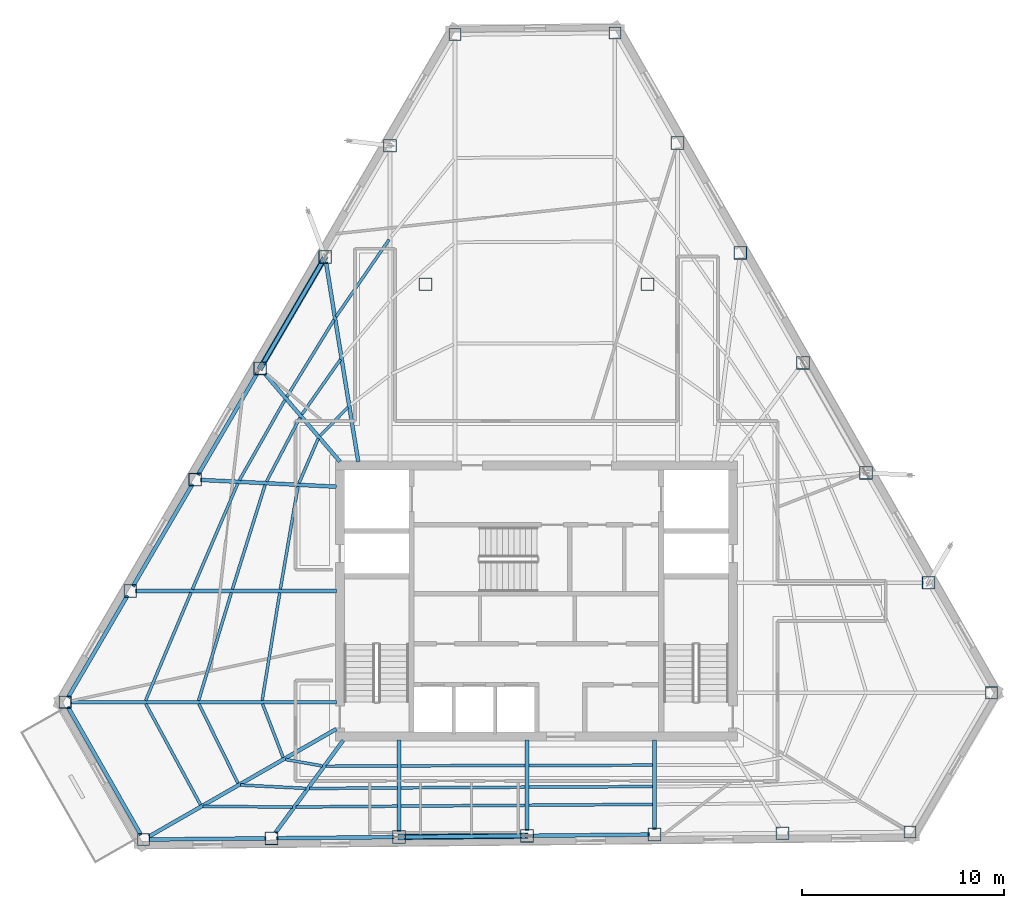
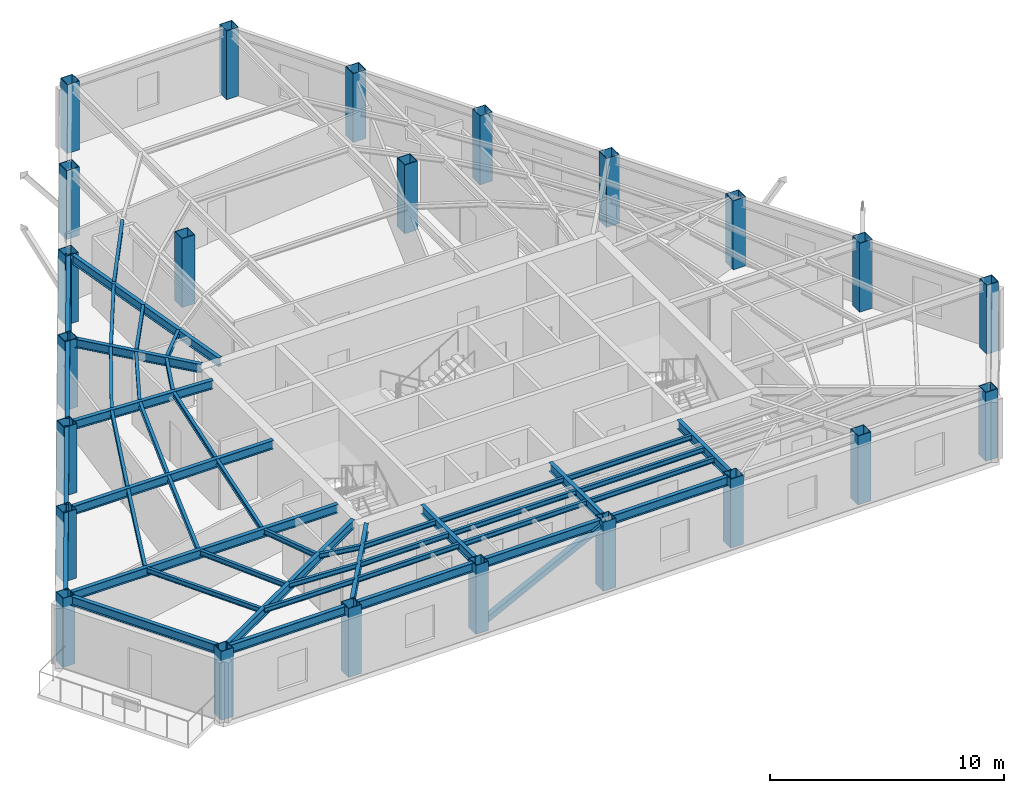
# One storey, part 1 of 11: 47 beams, 23 columns, 2 members.
"""IFC4 building model written with IfcOpenShell, lengths in metres."""

import ifcopenshell
import ifcopenshell.guid

model = None  # the IFC model being written
_history = None  # IfcOwnerHistory: only IFC2X3 demands one
_inside = {}  # id of a spatial element -> (the spatial element, [elements in it])
_under = {}  # id of a project, library or spatial element -> (it, [spatial elements below it])
_declared = {}  # id of a project -> (the project, [libraries it declares])
_typed = {}  # id of a type object -> (the type object, [elements of that type])
_made_of = {}  # id of a material, layer set ... -> (it, [elements and type objects made of it])


def new_model(schema):
    """Start an empty IFC model of exactly this schema.

    Asked for "IFC4X3", IfcOpenShell would pick the latest addendum, in which some entities
    have other attributes; the version numbers below select the first issue.
    IFC2X3 requires an IfcOwnerHistory on every rooted entity: one is made here for all.
    """
    global model, _history
    if schema == "IFC4X3":
        model = ifcopenshell.file(schema_version=(4, 3, 0, 0))
    else:
        model = ifcopenshell.file(schema=schema)
    _inside.clear()
    _under.clear()
    _declared.clear()
    _typed.clear()
    _made_of.clear()
    _history = None
    if model.schema == "IFC2X3":
        org = make("IfcOrganization", Name="unknown")
        user = make(
            "IfcPersonAndOrganization",
            ThePerson=make("IfcPerson", FamilyName="unknown"),
            TheOrganization=org,
        )
        app = make(
            "IfcApplication",
            ApplicationDeveloper=org,
            Version="unknown",
            ApplicationFullName="unknown",
            ApplicationIdentifier="unknown",
        )
        _history = make(
            "IfcOwnerHistory",
            OwningUser=user,
            OwningApplication=app,
            ChangeAction="ADDED",
            CreationDate=0,
        )
    return model


def make(cls, **values):
    """One entity of the class cls with the attributes given. An attribute that is None is left unset."""
    return model.create_entity(
        cls, **{name: value for name, value in values.items() if value is not None}
    )


def rooted(cls, **values):
    """An entity with a GlobalId (a new one), such as an element, a storey or a relation."""
    return make(cls, GlobalId=ifcopenshell.guid.new(), OwnerHistory=_history, **values)


def si_unit(unit_type, name, prefix=None):
    """IfcSIUnit, for example si_unit("LENGTHUNIT", "METRE", prefix="MILLI")."""
    return make("IfcSIUnit", UnitType=unit_type, Prefix=prefix, Name=name)


def assignment(units):
    """IfcUnitAssignment: the units of a project."""
    return None if units is None else make("IfcUnitAssignment", Units=units)


def point(xyz):
    """IfcCartesianPoint."""
    return None if xyz is None else make("IfcCartesianPoint", Coordinates=xyz)


def direction(xyz):
    """IfcDirection."""
    return None if xyz is None else make("IfcDirection", DirectionRatios=xyz)


def frame(location, z_axis=None, x_axis=None):
    """IfcAxis2Placement3D, a coordinate frame: its origin and axes. An axis left out is left unset."""
    return make(
        "IfcAxis2Placement3D",
        Location=point(location),
        Axis=direction(z_axis),
        RefDirection=direction(x_axis),
    )


def frame_2d(location, x_axis=None):
    """IfcAxis2Placement2D, a coordinate frame in the plane: its origin and x axis."""
    return make(
        "IfcAxis2Placement2D", Location=point(location), RefDirection=direction(x_axis)
    )


def origin():
    """The frame at (0, 0, 0) with its axes left unset."""
    return frame((0.0, 0.0, 0.0))


def origin_2d():
    """The frame at (0, 0) in the plane with its x axis left unset."""
    return frame_2d((0.0, 0.0))


def place(relative_to, where):
    """IfcLocalPlacement: puts the frame where relative to a parent placement (None: the world)."""
    return make(
        "IfcLocalPlacement", PlacementRelTo=relative_to, RelativePlacement=where
    )


def context(
    kind, dimensions, precision=None, world=None, true_north=None, identifier=None
):
    """IfcGeometricRepresentationContext, for example the 3D "Model" context."""
    return make(
        "IfcGeometricRepresentationContext",
        ContextIdentifier=identifier,
        ContextType=kind,
        CoordinateSpaceDimension=dimensions,
        Precision=precision,
        WorldCoordinateSystem=world,
        TrueNorth=true_north,
    )


def subcontext(parent, identifier, kind, view, scale=None):
    """IfcGeometricRepresentationSubContext, for example "Body" below "Model"."""
    return make(
        "IfcGeometricRepresentationSubContext",
        ContextIdentifier=identifier,
        ContextType=kind,
        ParentContext=parent,
        TargetScale=scale,
        TargetView=view,
    )


def project(units=None, contexts=None):
    """IfcProject with its units and contexts."""
    return rooted(
        "IfcProject",
        Name="project",
        RepresentationContexts=contexts,
        UnitsInContext=assignment(units),
    )


def spatial(cls, under=None, at=None, **own):
    """A site, building, storey or space (cls), placed at a placement, below another one or the project."""
    s = rooted(cls, ObjectPlacement=at, **own)
    if under is not None:
        _under.setdefault(under.id(), (under, []))[1].append(s)
    return s


def profile(cls, at=None, kind="AREA", **sizes):
    """A parametric profile (cls). Its sizes go by their IFC names, for example OverallWidth=200.0."""
    return make(cls, ProfileType=kind, Position=at, **sizes)


def hollow_rectangle(**sizes):
    """IfcRectangleHollowProfileDef."""
    return profile("IfcRectangleHollowProfileDef", **sizes)


def i_section(**sizes):
    """IfcIShapeProfileDef."""
    return profile("IfcIShapeProfileDef", **sizes)


def extrude(swept, where, along, depth):
    """IfcExtrudedAreaSolid: the profile swept, set in the frame where, extruded along a direction by depth."""
    return make(
        "IfcExtrudedAreaSolid",
        SweptArea=swept,
        Position=where,
        ExtrudedDirection=direction(along),
        Depth=depth,
    )


def shape(context_of_items, identifier, shape_type, items):
    """IfcShapeRepresentation: the items that make up one representation, for example the "Body"."""
    return make(
        "IfcShapeRepresentation",
        ContextOfItems=context_of_items,
        RepresentationIdentifier=identifier,
        RepresentationType=shape_type,
        Items=items,
    )


def material(Name=None, Category=None):
    """IfcMaterial."""
    return make("IfcMaterial", Name=Name, Category=Category)


def material_profile(
    of_material, cross_section, Name=None, Category=None, Priority=None
):
    """IfcMaterialProfile: a cross section and its material."""
    return make(
        "IfcMaterialProfile",
        Name=Name,
        Material=of_material,
        Profile=cross_section,
        Priority=Priority,
        Category=Category,
    )


def profile_set(profiles, Name=None, composite=None):
    """IfcMaterialProfileSet."""
    return make(
        "IfcMaterialProfileSet",
        Name=Name,
        MaterialProfiles=profiles,
        CompositeProfile=composite,
    )


def made_of(thing, what):
    """Note that an element or type object is made of a material, layer set ...; save() writes the relation."""
    if what is not None:
        _made_of.setdefault(what.id(), (what, []))[1].append(thing)
    return thing


def type_object(cls, material=None, **own):
    """A type object (cls), such as IfcWallType, which elements share."""
    return made_of(rooted(cls, **own), material)


def element(
    cls,
    number,
    at=None,
    inside=None,
    cuts=None,
    type_object=None,
    material=None,
    context=None,
    identifier="Body",
    shape_type=None,
    held_by="IfcProductDefinitionShape",
    body=None,
    shapes=None,
    **own,
):
    """One element of the class cls, such as IfcWall. Its Tag is "e" and its number.

    at: its placement. inside: the storey or other place that contains it. cuts: it is an
    opening in that element (IfcRelVoidsElement). A single representation is given by context,
    identifier, shape_type and body (its items); several are given by shapes. held_by: the class
    of the entity that holds the representations. save() writes the other relations.
    """
    e = rooted(cls, Tag="e%d" % number, ObjectPlacement=at, **own)
    if body is not None:
        shapes = [shape(context, identifier, shape_type, body)]
    if shapes is not None:
        e.Representation = make(held_by, Representations=shapes)
    if inside is not None:
        _inside.setdefault(inside.id(), (inside, []))[1].append(e)
    if cuts is not None:
        rooted(
            "IfcRelVoidsElement", RelatingBuildingElement=cuts, RelatedOpeningElement=e
        )
    if type_object is not None:
        _typed.setdefault(type_object.id(), (type_object, []))[1].append(e)
    return made_of(e, material)


def aggregate(whole, parts):
    """IfcRelAggregates: a whole, such as a stair, and the parts it consists of."""
    return rooted("IfcRelAggregates", RelatingObject=whole, RelatedObjects=parts)


def save(model, path):
    """Write the relations noted so far, then the file.

    IfcRelAggregates (storeys below a building ...), IfcRelContainedInSpatialStructure (elements
    in a storey), IfcRelDefinesByType, IfcRelAssociatesMaterial and IfcRelDeclares: one each for
    every whole, place, type object, material and project.
    """
    for whole, parts in _under.values():
        aggregate(whole, parts)
    for where, things in _inside.values():
        rooted(
            "IfcRelContainedInSpatialStructure",
            RelatedElements=things,
            RelatingStructure=where,
        )
    for kind, things in _typed.values():
        rooted("IfcRelDefinesByType", RelatedObjects=things, RelatingType=kind)
    for what, things in _made_of.values():
        rooted("IfcRelAssociatesMaterial", RelatedObjects=things, RelatingMaterial=what)
    for by, libraries in _declared.values():
        rooted("IfcRelDeclares", RelatingContext=by, RelatedDefinitions=libraries)
    model.write(path)


model = new_model("IFC4")

# Units and contexts
model_context = context("Model", 3, precision=1e-05, world=origin(), true_north=direction((0.0, 1.0)))
body_context = subcontext(model_context, "Body", "Model", "MODEL_VIEW")
ifc_project = project(units=[si_unit("LENGTHUNIT", "METRE"), si_unit("AREAUNIT", "SQUARE_METRE"), si_unit("VOLUMEUNIT", "CUBIC_METRE"), si_unit("PLANEANGLEUNIT", "RADIAN"), si_unit("MASSUNIT", "GRAM", prefix="KILO")], contexts=[model_context])

# Site, building, storey
site_placement = place(None, origin())
site = spatial("IfcSite", under=ifc_project, at=site_placement, CompositionType="ELEMENT")
building_placement = place(site_placement, origin())
building = spatial("IfcBuilding", under=site, at=building_placement, Name="Kavelnor Concourse Tower", CompositionType="ELEMENT")
storey_placement = place(building_placement, frame((0.0, 0.0, 218.89990234375)))
storey = spatial("IfcBuildingStorey", under=building, at=storey_placement, Name="L55", CompositionType="ELEMENT", Elevation=218.89990234375)

# Columns
ifc_material = material(Name="Steel Grade 350", Category="steel")
ifc_material_profile_1 = material_profile(ifc_material, hollow_rectangle(XDim=0.60009765625, YDim=0.60009765625, WallThickness=0.028076171875, at=origin_2d()), Name="SHS 600x600x28")
ifc_profile_set_1 = profile_set([ifc_material_profile_1], Name="Steel Grade 350")
column_type_1 = type_object("IfcColumnType", Name="COL-FOLD-Z3", PredefinedType="COLUMN", material=ifc_profile_set_1)
for number, where, z_axis, x_axis, name in (
    (1, (33.9697265625, 44.18115234375, 0.0), (0.0, 0.0, 1.0), (1.0, 0.0, 0.0), "L55 Perimeter Corner-Fold Column F0-B0"),
    (2, (14.644287109375, 11.0830078125, 0.0), (0.0, 0.0, 1.0), (1.0, 0.0, 0.0), "L55 Perimeter Corner-Fold Column F0-B6"),
    (3, (18.52978515625, 4.275146484375, 0.0), (0.0, 0.0, 1.0), (1.0, 0.0, 0.0), "L55 Perimeter Corner-Fold Column F1-B0"),
    (4, (56.5224609375, 4.649658203125, 0.0), (0.0, 0.0, 1.0), (1.0, 0.0, 0.0), "L55 Perimeter Corner-Fold Column F1-B6"),
    (5, (60.552734375, 11.552001953125, 0.0), (0.0, 0.0, 1.0), (1.0, 0.0, 0.0), "L55 Perimeter Corner-Fold Column F2-B0"),
    (6, (41.885498046875, 44.259033203125, 0.0), (0.0, 0.0, 1.0), (1.0, 0.0, 0.0), "L55 Perimeter Corner-Fold Column F2-B6"),
):
    element("IfcColumn", number, at=place(storey_placement, frame(where, z_axis=z_axis, x_axis=x_axis)), inside=storey, type_object=column_type_1, Name=name, PredefinedType="COLUMN", context=body_context, shape_type="SweptSolid", body=[
        extrude(hollow_rectangle(XDim=0.60009765625, YDim=0.60009765625, WallThickness=0.028076171875, at=origin_2d()), origin(), (0.0, 0.0, 1.0), 3.60009765625),
    ])
ifc_material_profile_2 = material_profile(ifc_material, hollow_rectangle(XDim=0.639892578125, YDim=0.639892578125, WallThickness=0.028076171875, at=origin_2d()), Name="SHS 640x640x28")
ifc_profile_set_2 = profile_set([ifc_material_profile_2], Name="Steel Grade 350")
column_type_2 = type_object("IfcColumnType", Name="COL-TUBE-Z3", PredefinedType="COLUMN", material=ifc_profile_set_2)
for number, where, z_axis, x_axis, name in (
    (7, (30.748779296875, 38.664794921875, 0.0), (0.0, 0.0, 1.0), (1.0, 0.0, 0.0), "L55 Perimeter Framed-Tube Column F0-B1"),
    (8, (27.528076171875, 33.1484375, 0.0), (0.0, 0.0, 1.0), (1.0, 0.0, 0.0), "L55 Perimeter Framed-Tube Column F0-B2"),
    (9, (24.30712890625, 27.632080078125, 0.0), (0.0, 0.0, 1.0), (1.0, 0.0, 0.0), "L55 Perimeter Framed-Tube Column F0-B3"),
    (10, (21.086181640625, 22.11572265625, 0.0), (0.0, 0.0, 1.0), (1.0, 0.0, 0.0), "L55 Perimeter Framed-Tube Column F0-B4"),
    (11, (17.865234375, 16.599365234375, 0.0), (0.0, 0.0, 1.0), (1.0, 0.0, 0.0), "L55 Perimeter Framed-Tube Column F0-B5"),
    (12, (24.86181640625, 4.33740234375, 0.0), (0.0, 0.0, 1.0), (1.0, 0.0, 0.0), "L55 Perimeter Framed-Tube Column F1-B1"),
    (13, (31.194091796875, 4.39990234375, 0.0), (0.0, 0.0, 1.0), (1.0, 0.0, 0.0), "L55 Perimeter Framed-Tube Column F1-B2"),
    (14, (37.526123046875, 4.46240234375, 0.0), (0.0, 0.0, 1.0), (1.0, 0.0, 0.0), "L55 Perimeter Framed-Tube Column F1-B3"),
    (15, (43.8583984375, 4.52490234375, 0.0), (0.0, 0.0, 1.0), (1.0, 0.0, 0.0), "L55 Perimeter Framed-Tube Column F1-B4"),
    (16, (50.1904296875, 4.58740234375, 0.0), (0.0, 0.0, 1.0), (1.0, 0.0, 0.0), "L55 Perimeter Framed-Tube Column F1-B5"),
    (17, (57.44140625, 17.003173828125, 0.0), (0.0, 0.0, 1.0), (1.0, 0.0, 0.0), "L55 Perimeter Framed-Tube Column F2-B1"),
    (18, (54.330322265625, 22.454345703125, 0.0), (0.0, 0.0, 1.0), (1.0, 0.0, 0.0), "L55 Perimeter Framed-Tube Column F2-B2"),
    (19, (51.218994140625, 27.905517578125, 0.0), (0.0, 0.0, 1.0), (1.0, 0.0, 0.0), "L55 Perimeter Framed-Tube Column F2-B3"),
    (20, (48.10791015625, 33.356689453125, 0.0), (0.0, 0.0, 1.0), (1.0, 0.0, 0.0), "L55 Perimeter Framed-Tube Column F2-B4"),
    (21, (44.99658203125, 38.807861328125, 0.0), (0.0, 0.0, 1.0), (1.0, 0.0, 0.0), "L55 Perimeter Framed-Tube Column F2-B5"),
    (22, (32.5, 31.800048828125, 0.0), (0.0, 0.0, 1.0), (1.0, 0.0, 0.0), "L55 North Interior Gravity Column BC-NW"),
    (23, (43.5, 31.800048828125, 0.0), (0.0, 0.0, 1.0), (1.0, 0.0, 0.0), "L55 North Interior Gravity Column BC-NE"),
):
    element("IfcColumn", number, at=place(storey_placement, frame(where, z_axis=z_axis, x_axis=x_axis)), inside=storey, type_object=column_type_2, Name=name, PredefinedType="COLUMN", context=body_context, shape_type="SweptSolid", body=[
        extrude(hollow_rectangle(XDim=0.639892578125, YDim=0.639892578125, WallThickness=0.028076171875, at=origin_2d()), origin(), (0.0, 0.0, 1.0), 3.60009765625),
    ])

# Beams
ifc_material_profile_3 = material_profile(ifc_material, i_section(OverallWidth=0.14599609375, OverallDepth=0.256103515625, WebThickness=0.00634765625, FlangeThickness=0.010986328125, at=origin_2d()), Name="250UB37")
ifc_profile_set_3 = profile_set([ifc_material_profile_3], Name="Steel Grade 350")
beam_type_1 = type_object("IfcBeamType", Name="BM-JOIST-250", PredefinedType="JOIST", material=ifc_profile_set_3)
beam_1_placement = place(storey_placement, frame((24.4228515625, 11.0, 3.47216796875), z_axis=(0.358979079309, -0.933345606203, 0.0), x_axis=(0.933345606203, 0.358979079309, 0.0)))
element("IfcBeam", 24, at=beam_1_placement, inside=storey, type_object=beam_type_1, Name="L55 Secondary Composite Joist 01-1", PredefinedType="JOIST", context=body_context, shape_type="SweptSolid", body=[
    extrude(i_section(OverallWidth=0.14599609375, OverallDepth=0.256103515625, WebThickness=0.00634765625, FlangeThickness=0.010986328125, at=origin_2d()), origin(), (0.0, 0.0, 1.0), 2.84619140625),
])
beam_2_placement = place(storey_placement, frame((21.26806640625, 11.003173828125, 3.47216796875), z_axis=(0.442026704695, -0.897001890933, 0.0), x_axis=(0.897001890933, 0.442026704695, 0.0)))
element("IfcBeam", 25, at=beam_2_placement, inside=storey, type_object=beam_type_1, Name="L55 Secondary Composite Joist 01-2", PredefinedType="JOIST", context=body_context, shape_type="SweptSolid", body=[
    extrude(i_section(OverallWidth=0.14599609375, OverallDepth=0.256103515625, WebThickness=0.00634765625, FlangeThickness=0.010986328125, at=origin_2d()), origin(), (0.0, 0.0, 1.0), 4.39306640625),
])
beam_3_placement = place(storey_placement, frame((18.635986328125, 11.0048828125, 3.47216796875), z_axis=(0.476553695618, -0.87914536636, 0.0), x_axis=(0.87914536636, 0.476553695618, 0.0)))
element("IfcBeam", 26, at=beam_3_placement, inside=storey, type_object=beam_type_1, Name="L55 Secondary Composite Joist 01-3", PredefinedType="JOIST", context=body_context, shape_type="SweptSolid", body=[
    extrude(i_section(OverallWidth=0.14599609375, OverallDepth=0.256103515625, WebThickness=0.00634765625, FlangeThickness=0.010986328125, at=origin_2d()), origin(), (0.0, 0.0, 1.0), 5.697265625),
])
beam_4_placement = place(storey_placement, frame((25.564208984375, 8.2451171875, 3.47216796875), z_axis=(0.984852351418, -0.17339505733, 0.0), x_axis=(0.17339505733, 0.984852351418, 0.0)))
element("IfcBeam", 27, at=beam_4_placement, inside=storey, type_object=beam_type_1, Name="L55 Secondary Composite Joist 02-1", PredefinedType="JOIST", context=body_context, shape_type="SweptSolid", body=[
    extrude(i_section(OverallWidth=0.14599609375, OverallDepth=0.256103515625, WebThickness=0.00634765625, FlangeThickness=0.010986328125, at=origin_2d()), origin(), (0.0, 0.0, 1.0), 1.855712890625),
])
beam_5_placement = place(storey_placement, frame((23.338134765625, 6.978271484375, 3.47216796875), z_axis=(0.998682633684, -0.051312738946, 0.0), x_axis=(0.051312738946, 0.998682633684, 0.0)))
element("IfcBeam", 28, at=beam_5_placement, inside=storey, type_object=beam_type_1, Name="L55 Secondary Composite Joist 02-2", PredefinedType="JOIST", context=body_context, shape_type="SweptSolid", body=[
    extrude(i_section(OverallWidth=0.14599609375, OverallDepth=0.256103515625, WebThickness=0.00634765625, FlangeThickness=0.010986328125, at=origin_2d()), origin(), (0.0, 0.0, 1.0), 3.249755859375),
])
beam_6_placement = place(storey_placement, frame((21.482421875, 5.91748046875, 3.47216796875), z_axis=(0.999980938066, -0.006174423345, 0.0), x_axis=(0.006174423345, 0.999980938066, 0.0)))
element("IfcBeam", 29, at=beam_6_placement, inside=storey, type_object=beam_type_1, Name="L55 Secondary Composite Joist 02-3", PredefinedType="JOIST", context=body_context, shape_type="SweptSolid", body=[
    extrude(i_section(OverallWidth=0.14599609375, OverallDepth=0.256103515625, WebThickness=0.00634765625, FlangeThickness=0.010986328125, at=origin_2d()), origin(), (0.0, 0.0, 1.0), 4.428466796875),
])
beam_7_placement = place(storey_placement, frame((27.568603515625, 7.908447265625, 3.47216796875), z_axis=(0.999984365181, 0.005591904286, 0.0), x_axis=(-0.005591904286, 0.999984365181, 0.0)))
element("IfcBeam", 30, at=beam_7_placement, inside=storey, type_object=beam_type_1, Name="L55 Secondary Composite Joist 03-1", PredefinedType="JOIST", context=body_context, shape_type="SweptSolid", body=[
    extrude(i_section(OverallWidth=0.14599609375, OverallDepth=0.256103515625, WebThickness=0.00634765625, FlangeThickness=0.010986328125, at=origin_2d()), origin(), (0.0, 0.0, 1.0), 3.536376953125),
])
beam_8_placement = place(storey_placement, frame((26.761474609375, 6.8076171875, 3.47216796875), z_axis=(0.999974522305, 0.007138258914, 0.0), x_axis=(-0.007138258914, 0.999974522305, 0.0)))
element("IfcBeam", 31, at=beam_8_placement, inside=storey, type_object=beam_type_1, Name="L55 Secondary Composite Joist 03-2", PredefinedType="JOIST", context=body_context, shape_type="SweptSolid", body=[
    extrude(i_section(OverallWidth=0.14599609375, OverallDepth=0.256103515625, WebThickness=0.00634765625, FlangeThickness=0.010986328125, at=origin_2d()), origin(), (0.0, 0.0, 1.0), 4.343505859375),
])
beam_9_placement = place(storey_placement, frame((26.0888671875, 5.890380859375, 3.47216796875), z_axis=(0.99996814465, 0.007981834699, 0.0), x_axis=(-0.007981834699, 0.99996814465, 0.0)))
element("IfcBeam", 32, at=beam_9_placement, inside=storey, type_object=beam_type_1, Name="L55 Secondary Composite Joist 03-3", PredefinedType="JOIST", context=body_context, shape_type="SweptSolid", body=[
    extrude(i_section(OverallWidth=0.14599609375, OverallDepth=0.256103515625, WebThickness=0.00634765625, FlangeThickness=0.010986328125, at=origin_2d()), origin(), (0.0, 0.0, 1.0), 5.016357421875),
])
for number, where, z_axis, x_axis, name in (
    (33, (31.282958984375, 7.928955078125, 3.47216796875), (0.999996144446, 0.002776885517, 0.0), (-0.002776885517, 0.999996144446, 0.0), "L55 Secondary Composite Joist 04-1"),
    (34, (31.282958984375, 6.839599609375, 3.47216796875), (0.999986906248, 0.005117356034, 0.0), (-0.005117356034, 0.999986906248, 0.0), "L55 Secondary Composite Joist 04-2"),
):
    element("IfcBeam", number, at=place(storey_placement, frame(where, z_axis=z_axis, x_axis=x_axis)), inside=storey, type_object=beam_type_1, Name=name, PredefinedType="JOIST", context=body_context, shape_type="SweptSolid", body=[
        extrude(i_section(OverallWidth=0.14599609375, OverallDepth=0.256103515625, WebThickness=0.00634765625, FlangeThickness=0.010986328125, at=origin_2d()), origin(), (0.0, 0.0, 1.0), 6.154296875),
    ])
beam_10_placement = place(storey_placement, frame((31.282958984375, 5.931884765625, 3.47216796875), z_axis=(0.999974789419, 0.007100741324, 0.0), x_axis=(-0.007100741324, 0.999974789419, 0.0)))
element("IfcBeam", 35, at=beam_10_placement, inside=storey, type_object=beam_type_1, Name="L55 Secondary Composite Joist 04-3", PredefinedType="JOIST", context=body_context, shape_type="SweptSolid", body=[
    extrude(i_section(OverallWidth=0.14599609375, OverallDepth=0.256103515625, WebThickness=0.00634765625, FlangeThickness=0.010986328125, at=origin_2d()), origin(), (0.0, 0.0, 1.0), 6.154541015625),
])
for number, where, z_axis, x_axis, name in (
    (36, (37.615234375, 7.946533203125, 3.47216796875), (0.99999625352, 0.002737324612, 0.0), (-0.002737324612, 0.99999625352, 0.0), "L55 Secondary Composite Joist 05-1"),
    (37, (37.615234375, 6.8720703125, 3.47216796875), (0.999986905209, 0.005117559042, 0.0), (-0.005117559042, 0.999986905209, 0.0), "L55 Secondary Composite Joist 05-2"),
):
    element("IfcBeam", number, at=place(storey_placement, frame(where, z_axis=z_axis, x_axis=x_axis)), inside=storey, type_object=beam_type_1, Name=name, PredefinedType="JOIST", context=body_context, shape_type="SweptSolid", body=[
        extrude(i_section(OverallWidth=0.14599609375, OverallDepth=0.256103515625, WebThickness=0.00634765625, FlangeThickness=0.010986328125, at=origin_2d()), origin(), (0.0, 0.0, 1.0), 6.154052734375),
    ])
beam_11_placement = place(storey_placement, frame((37.615234375, 5.976806640625, 3.47216796875), z_axis=(0.999974787418, 0.007101023007, 0.0), x_axis=(-0.007101023007, 0.999974787418, 0.0)))
element("IfcBeam", 38, at=beam_11_placement, inside=storey, type_object=beam_type_1, Name="L55 Secondary Composite Joist 05-3", PredefinedType="JOIST", context=body_context, shape_type="SweptSolid", body=[
    extrude(i_section(OverallWidth=0.14599609375, OverallDepth=0.256103515625, WebThickness=0.00634765625, FlangeThickness=0.010986328125, at=origin_2d()), origin(), (0.0, 0.0, 1.0), 6.154296875),
])
beam_12_placement = place(storey_placement, frame((30.698486328125, 34.01806640625, 3.47216796875), z_axis=(-0.566573462468, -0.824011232707, 0.0), x_axis=(0.824011232707, -0.566573462468, 0.0)))
element("IfcBeam", 39, at=beam_12_placement, inside=storey, type_object=beam_type_1, Name="L55 Secondary Composite Joist 17-3", PredefinedType="JOIST", context=body_context, shape_type="SweptSolid", body=[
    extrude(i_section(OverallWidth=0.14599609375, OverallDepth=0.256103515625, WebThickness=0.00634765625, FlangeThickness=0.010986328125, at=origin_2d()), origin(), (0.0, 0.0, 1.0), 4.64208984375),
])
beam_13_placement = place(storey_placement, frame((28.65966796875, 25.705322265625, 3.47216796875), z_axis=(-0.698526175611, -0.715584503736, 0.0), x_axis=(0.715584503736, -0.698526175611, 0.0)))
element("IfcBeam", 40, at=beam_13_placement, inside=storey, type_object=beam_type_1, Name="L55 Secondary Composite Joist 18-1", PredefinedType="JOIST", context=body_context, shape_type="SweptSolid", body=[
    extrude(i_section(OverallWidth=0.14599609375, OverallDepth=0.256103515625, WebThickness=0.00634765625, FlangeThickness=0.010986328125, at=origin_2d()), origin(), (0.0, 0.0, 1.0), 1.97509765625),
])
beam_14_placement = place(storey_placement, frame((28.28662109375, 28.069091796875, 3.47216796875), z_axis=(-0.574456803697, -0.818534898881, 0.0), x_axis=(0.818534898881, -0.574456803697, 0.0)))
element("IfcBeam", 41, at=beam_14_placement, inside=storey, type_object=beam_type_1, Name="L55 Secondary Composite Joist 18-2", PredefinedType="JOIST", context=body_context, shape_type="SweptSolid", body=[
    extrude(i_section(OverallWidth=0.14599609375, OverallDepth=0.256103515625, WebThickness=0.00634765625, FlangeThickness=0.010986328125, at=origin_2d()), origin(), (0.0, 0.0, 1.0), 3.326904296875),
])
beam_15_placement = place(storey_placement, frame((27.971435546875, 30.043701171875, 3.47216796875), z_axis=(-0.522739438172, -0.852492510102, 0.0), x_axis=(0.852492510102, -0.522739438172, 0.0)))
element("IfcBeam", 42, at=beam_15_placement, inside=storey, type_object=beam_type_1, Name="L55 Secondary Composite Joist 18-3", PredefinedType="JOIST", context=body_context, shape_type="SweptSolid", body=[
    extrude(i_section(OverallWidth=0.14599609375, OverallDepth=0.256103515625, WebThickness=0.00634765625, FlangeThickness=0.010986328125, at=origin_2d()), origin(), (0.0, 0.0, 1.0), 4.48583984375),
])
beam_16_placement = place(storey_placement, frame((27.1826171875, 24.146728515625, 3.47216796875), z_axis=(-0.396640405764, -0.917974067453, 0.0), x_axis=(0.917974067453, -0.396640405764, 0.0)))
element("IfcBeam", 43, at=beam_16_placement, inside=storey, type_object=beam_type_1, Name="L55 Secondary Composite Joist 19-1", PredefinedType="JOIST", context=body_context, shape_type="SweptSolid", body=[
    extrude(i_section(OverallWidth=0.14599609375, OverallDepth=0.256103515625, WebThickness=0.00634765625, FlangeThickness=0.010986328125, at=origin_2d()), origin(), (0.0, 0.0, 1.0), 2.40234375),
])
beam_17_placement = place(storey_placement, frame((26.283203125, 25.194091796875, 3.47216796875), z_axis=(-0.464162255023, -0.885750191087, 0.0), x_axis=(0.885750191087, -0.464162255023, 0.0)))
element("IfcBeam", 44, at=beam_17_placement, inside=storey, type_object=beam_type_1, Name="L55 Secondary Composite Joist 19-2", PredefinedType="JOIST", context=body_context, shape_type="SweptSolid", body=[
    extrude(i_section(OverallWidth=0.14599609375, OverallDepth=0.256103515625, WebThickness=0.00634765625, FlangeThickness=0.010986328125, at=origin_2d()), origin(), (0.0, 0.0, 1.0), 3.583984375),
])
beam_18_placement = place(storey_placement, frame((25.535888671875, 26.066162109375, 3.47216796875), z_axis=(-0.493782135981, -0.869585649712, 0.0), x_axis=(0.869585649712, -0.493782135981, 0.0)))
element("IfcBeam", 45, at=beam_18_placement, inside=storey, type_object=beam_type_1, Name="L55 Secondary Composite Joist 19-3", PredefinedType="JOIST", context=body_context, shape_type="SweptSolid", body=[
    extrude(i_section(OverallWidth=0.14599609375, OverallDepth=0.256103515625, WebThickness=0.00634765625, FlangeThickness=0.010986328125, at=origin_2d()), origin(), (0.0, 0.0, 1.0), 4.577392578125),
])
beam_19_placement = place(storey_placement, frame((26.179443359375, 21.77197265625, 3.47216796875), z_axis=(-0.168986143751, -0.985618426786, 0.0), x_axis=(0.985618426786, -0.168986143751, 0.0)))
element("IfcBeam", 46, at=beam_19_placement, inside=storey, type_object=beam_type_1, Name="L55 Secondary Composite Joist 20-1", PredefinedType="JOIST", context=body_context, shape_type="SweptSolid", body=[
    extrude(i_section(OverallWidth=0.14599609375, OverallDepth=0.256103515625, WebThickness=0.00634765625, FlangeThickness=0.010986328125, at=origin_2d()), origin(), (0.0, 0.0, 1.0), 5.1591796875),
])
beam_20_placement = place(storey_placement, frame((24.5517578125, 21.855712890625, 3.47216796875), z_axis=(-0.299190508668, -0.954193397338, 0.0), x_axis=(0.954193397338, -0.299190508668, 0.0)))
element("IfcBeam", 47, at=beam_20_placement, inside=storey, type_object=beam_type_1, Name="L55 Secondary Composite Joist 20-2", PredefinedType="JOIST", context=body_context, shape_type="SweptSolid", body=[
    extrude(i_section(OverallWidth=0.14599609375, OverallDepth=0.256103515625, WebThickness=0.00634765625, FlangeThickness=0.010986328125, at=origin_2d()), origin(), (0.0, 0.0, 1.0), 5.419921875),
])
beam_21_placement = place(storey_placement, frame((23.196533203125, 21.926513671875, 3.47216796875), z_axis=(-0.394069015623, -0.919080851136, 0.0), x_axis=(0.919080851136, -0.394069015623, 0.0)))
element("IfcBeam", 48, at=beam_21_placement, inside=storey, type_object=beam_type_1, Name="L55 Secondary Composite Joist 20-3", PredefinedType="JOIST", context=body_context, shape_type="SweptSolid", body=[
    extrude(i_section(OverallWidth=0.14599609375, OverallDepth=0.256103515625, WebThickness=0.00634765625, FlangeThickness=0.010986328125, at=origin_2d()), origin(), (0.0, 0.0, 1.0), 5.707275390625),
])
beam_22_placement = place(storey_placement, frame((25.2783203125, 16.511474609375, 3.47216796875), z_axis=(-0.161332782775, -0.986900062419, 0.0), x_axis=(0.986900062419, -0.161332782775, 0.0)))
element("IfcBeam", 49, at=beam_22_placement, inside=storey, type_object=beam_type_1, Name="L55 Secondary Composite Joist 21-1", PredefinedType="JOIST", context=body_context, shape_type="SweptSolid", body=[
    extrude(i_section(OverallWidth=0.14599609375, OverallDepth=0.256103515625, WebThickness=0.00634765625, FlangeThickness=0.010986328125, at=origin_2d()), origin(), (0.0, 0.0, 1.0), 5.411376953125),
])
beam_23_placement = place(storey_placement, frame((22.877685546875, 16.51416015625, 3.47216796875), z_axis=(-0.290549478671, -0.956859969088, 0.0), x_axis=(0.956859969088, -0.290549478671, 0.0)))
element("IfcBeam", 50, at=beam_23_placement, inside=storey, type_object=beam_type_1, Name="L55 Secondary Composite Joist 21-2", PredefinedType="JOIST", context=body_context, shape_type="SweptSolid", body=[
    extrude(i_section(OverallWidth=0.14599609375, OverallDepth=0.256103515625, WebThickness=0.00634765625, FlangeThickness=0.010986328125, at=origin_2d()), origin(), (0.0, 0.0, 1.0), 5.5869140625),
])
beam_24_placement = place(storey_placement, frame((20.878173828125, 16.517333984375, 3.47216796875), z_axis=(-0.387566306591, -0.921841829163, 0.0), x_axis=(0.921841829163, -0.387566306591, 0.0)))
element("IfcBeam", 51, at=beam_24_placement, inside=storey, type_object=beam_type_1, Name="L55 Secondary Composite Joist 21-3", PredefinedType="JOIST", context=body_context, shape_type="SweptSolid", body=[
    extrude(i_section(OverallWidth=0.14599609375, OverallDepth=0.256103515625, WebThickness=0.00634765625, FlangeThickness=0.010986328125, at=origin_2d()), origin(), (0.0, 0.0, 1.0), 5.80615234375),
])
ifc_material_profile_4 = material_profile(ifc_material, i_section(OverallWidth=0.18994140625, OverallDepth=0.4541015625, WebThickness=0.008544921875, FlangeThickness=0.0126953125, at=origin_2d()), Name="460UB67")
ifc_profile_set_4 = profile_set([ifc_material_profile_4], Name="Steel Grade 350")
beam_type_2 = type_object("IfcBeamType", Name="BM-PRIMARY-460", PredefinedType="BEAM", material=ifc_profile_set_4)
beam_25_placement = place(storey_placement, frame((29.169677734375, 23.00048828125, 3.373046875), z_axis=(-0.159705261726, 0.987164742774, 0.0), x_axis=(-0.987164742774, -0.159705261726, 0.0)))
element("IfcBeam", 52, at=beam_25_placement, inside=storey, type_object=beam_type_2, Name="L55 Primary Floor Girder F0-B2", PredefinedType="BEAM", context=body_context, shape_type="SweptSolid", body=[
    extrude(i_section(OverallWidth=0.18994140625, OverallDepth=0.4541015625, WebThickness=0.008544921875, FlangeThickness=0.0126953125, at=origin_2d()), origin(), (0.0, 0.0, 1.0), 10.01611328125),
])
beam_26_placement = place(storey_placement, frame((28.260009765625, 23.009521484375, 3.373046875), z_axis=(-0.649930897444, 0.759993308226, 0.0), x_axis=(-0.759993308226, -0.649930897444, 0.0)))
element("IfcBeam", 53, at=beam_26_placement, inside=storey, type_object=beam_type_2, Name="L55 Primary Floor Girder F0-B3", PredefinedType="BEAM", context=body_context, shape_type="SweptSolid", body=[
    extrude(i_section(OverallWidth=0.18994140625, OverallDepth=0.4541015625, WebThickness=0.008544921875, FlangeThickness=0.0126953125, at=origin_2d()), origin(), (0.0, 0.0, 1.0), 5.727294921875),
])
beam_27_placement = place(storey_placement, frame((28.079833984375, 21.76513671875, 3.373046875), z_axis=(-0.99874519478, 0.050080294564, 0.0), x_axis=(-0.050080294564, -0.99874519478, 0.0)))
element("IfcBeam", 54, at=beam_27_placement, inside=storey, type_object=beam_type_2, Name="L55 Primary Floor Girder F0-B4", PredefinedType="BEAM", context=body_context, shape_type="SweptSolid", body=[
    extrude(i_section(OverallWidth=0.18994140625, OverallDepth=0.4541015625, WebThickness=0.008544921875, FlangeThickness=0.0126953125, at=origin_2d()), origin(), (0.0, 0.0, 1.0), 6.7421875),
])
beam_28_placement = place(storey_placement, frame((28.080078125, 16.599365234375, 3.373046875), z_axis=(-1.0, 0.0, 0.0), x_axis=(0.0, -1.0, 0.0)))
element("IfcBeam", 55, at=beam_28_placement, inside=storey, type_object=beam_type_2, Name="L55 Primary Floor Girder F0-B5", PredefinedType="BEAM", context=body_context, shape_type="SweptSolid", body=[
    extrude(i_section(OverallWidth=0.18994140625, OverallDepth=0.4541015625, WebThickness=0.008544921875, FlangeThickness=0.0126953125, at=origin_2d()), origin(), (0.0, 0.0, 1.0), 9.954833984375),
])
beam_29_placement = place(storey_placement, frame((28.080078125, 11.0830078125, 3.373046875), z_axis=(-1.0, 0.0, 0.0), x_axis=(0.0, -1.0, 0.0)))
element("IfcBeam", 56, at=beam_29_placement, inside=storey, type_object=beam_type_2, Name="L55 Primary Floor Girder F0-B6", PredefinedType="BEAM", context=body_context, shape_type="SweptSolid", body=[
    extrude(i_section(OverallWidth=0.18994140625, OverallDepth=0.4541015625, WebThickness=0.008544921875, FlangeThickness=0.0126953125, at=origin_2d()), origin(), (0.0, 0.0, 1.0), 13.17578125),
])
beam_30_placement = place(storey_placement, frame((28.07470703125, 9.751220703125, 3.373046875), z_axis=(-0.867380979056, -0.497644689686, 0.0), x_axis=(0.497644689686, -0.867380979056, 0.0)))
element("IfcBeam", 57, at=beam_30_placement, inside=storey, type_object=beam_type_2, Name="L55 Primary Floor Girder F1-B0", PredefinedType="BEAM", context=body_context, shape_type="SweptSolid", body=[
    extrude(i_section(OverallWidth=0.18994140625, OverallDepth=0.4541015625, WebThickness=0.008544921875, FlangeThickness=0.0126953125, at=origin_2d()), origin(), (0.0, 0.0, 1.0), 10.6982421875),
])
beam_31_placement = place(storey_placement, frame((28.421142578125, 9.1923828125, 3.373046875), z_axis=(-0.591263174752, -0.80647867807, 0.0), x_axis=(0.80647867807, -0.591263174752, 0.0)))
element("IfcBeam", 58, at=beam_31_placement, inside=storey, type_object=beam_type_2, Name="L55 Primary Floor Girder F1-B1", PredefinedType="BEAM", context=body_context, shape_type="SweptSolid", body=[
    extrude(i_section(OverallWidth=0.18994140625, OverallDepth=0.4541015625, WebThickness=0.008544921875, FlangeThickness=0.0126953125, at=origin_2d()), origin(), (0.0, 0.0, 1.0), 5.68798828125),
])
beam_32_placement = place(storey_placement, frame((31.194091796875, 9.199951171875, 3.373046875), z_axis=(0.0, -1.0, 0.0), x_axis=(1.0, 0.0, 0.0)))
element("IfcBeam", 59, at=beam_32_placement, inside=storey, type_object=beam_type_2, Name="L55 Primary Floor Girder F1-B2", PredefinedType="BEAM", context=body_context, shape_type="SweptSolid", body=[
    extrude(i_section(OverallWidth=0.18994140625, OverallDepth=0.4541015625, WebThickness=0.008544921875, FlangeThickness=0.0126953125, at=origin_2d()), origin(), (0.0, 0.0, 1.0), 4.5400390625),
])
beam_33_placement = place(storey_placement, frame((37.526123046875, 9.199951171875, 3.373046875), z_axis=(0.0, -1.0, 0.0), x_axis=(1.0, 0.0, 0.0)))
element("IfcBeam", 60, at=beam_33_placement, inside=storey, type_object=beam_type_2, Name="L55 Primary Floor Girder F1-B3", PredefinedType="BEAM", context=body_context, shape_type="SweptSolid", body=[
    extrude(i_section(OverallWidth=0.18994140625, OverallDepth=0.4541015625, WebThickness=0.008544921875, FlangeThickness=0.0126953125, at=origin_2d()), origin(), (0.0, 0.0, 1.0), 4.4775390625),
])
beam_34_placement = place(storey_placement, frame((43.8583984375, 9.199951171875, 3.373046875), z_axis=(0.0, -1.0, 0.0), x_axis=(1.0, 0.0, 0.0)))
element("IfcBeam", 61, at=beam_34_placement, inside=storey, type_object=beam_type_2, Name="L55 Primary Floor Girder F1-B4", PredefinedType="BEAM", context=body_context, shape_type="SweptSolid", body=[
    extrude(i_section(OverallWidth=0.18994140625, OverallDepth=0.4541015625, WebThickness=0.008544921875, FlangeThickness=0.0126953125, at=origin_2d()), origin(), (0.0, 0.0, 1.0), 4.4150390625),
])
ifc_material_profile_5 = material_profile(ifc_material, i_section(OverallWidth=0.19091796875, OverallDepth=0.4599609375, WebThickness=0.010009765625, FlangeThickness=0.01611328125, at=origin_2d()), Name="460UB82")
ifc_profile_set_5 = profile_set([ifc_material_profile_5], Name="Steel Grade 350")
beam_type_3 = type_object("IfcBeamType", Name="BM-SPANDREL-Z3", PredefinedType="SPANDREL", material=ifc_profile_set_5)
beam_35_placement = place(storey_placement, frame((27.394287109375, 32.919677734375, 3.3701171875), z_axis=(-0.504205265523, -0.863583840874, 0.0), x_axis=(0.863583840874, -0.504205265523, 0.0)))
element("IfcBeam", 62, at=beam_35_placement, inside=storey, type_object=beam_type_3, Name="L55 Perimeter Tube Spandrel Beam F0-B2", PredefinedType="SPANDREL", context=body_context, shape_type="SweptSolid", body=[
    extrude(i_section(OverallWidth=0.19091796875, OverallDepth=0.4599609375, WebThickness=0.010009765625, FlangeThickness=0.01611328125, at=origin_2d()), origin(), (0.0, 0.0, 1.0), 5.85791015625),
])
beam_36_placement = place(storey_placement, frame((24.173583984375, 27.4033203125, 3.3701171875), z_axis=(-0.504236346103, -0.863565693661, 0.0), x_axis=(0.863565693661, -0.504236346103, 0.0)))
element("IfcBeam", 63, at=beam_36_placement, inside=storey, type_object=beam_type_3, Name="L55 Perimeter Tube Spandrel Beam F0-B3", PredefinedType="SPANDREL", context=body_context, shape_type="SweptSolid", body=[
    extrude(i_section(OverallWidth=0.19091796875, OverallDepth=0.4599609375, WebThickness=0.010009765625, FlangeThickness=0.01611328125, at=origin_2d()), origin(), (0.0, 0.0, 1.0), 5.858154296875),
])
beam_37_placement = place(storey_placement, frame((20.952392578125, 21.886962890625, 3.3701171875), z_axis=(-0.504205265523, -0.863583840874, 0.0), x_axis=(0.863583840874, -0.504205265523, 0.0)))
element("IfcBeam", 64, at=beam_37_placement, inside=storey, type_object=beam_type_3, Name="L55 Perimeter Tube Spandrel Beam F0-B4", PredefinedType="SPANDREL", context=body_context, shape_type="SweptSolid", body=[
    extrude(i_section(OverallWidth=0.19091796875, OverallDepth=0.4599609375, WebThickness=0.010009765625, FlangeThickness=0.01611328125, at=origin_2d()), origin(), (0.0, 0.0, 1.0), 5.85791015625),
])
beam_38_placement = place(storey_placement, frame((17.731689453125, 16.37060546875, 3.3701171875), z_axis=(-0.504236346103, -0.863565693661, 0.0), x_axis=(0.863565693661, -0.504236346103, 0.0)))
element("IfcBeam", 65, at=beam_38_placement, inside=storey, type_object=beam_type_3, Name="L55 Perimeter Tube Spandrel Beam F0-B5", PredefinedType="SPANDREL", context=body_context, shape_type="SweptSolid", body=[
    extrude(i_section(OverallWidth=0.19091796875, OverallDepth=0.4599609375, WebThickness=0.010009765625, FlangeThickness=0.01611328125, at=origin_2d()), origin(), (0.0, 0.0, 1.0), 5.858154296875),
])
for number, where, z_axis, x_axis, name in (
    (66, (18.794921875, 4.277587890625, 3.3701171875), (0.999951112453, 0.009888008055, 0.0), (-0.009888008055, 0.999951112453, 0.0), "L55 Perimeter Tube Spandrel Beam F1-B0"),
    (67, (25.126953125, 4.340087890625, 3.3701171875), (0.999951112453, 0.009888008055, 0.0), (-0.009888008055, 0.999951112453, 0.0), "L55 Perimeter Tube Spandrel Beam F1-B1"),
):
    element("IfcBeam", number, at=place(storey_placement, frame(where, z_axis=z_axis, x_axis=x_axis)), inside=storey, type_object=beam_type_3, Name=name, PredefinedType="SPANDREL", context=body_context, shape_type="SweptSolid", body=[
        extrude(i_section(OverallWidth=0.19091796875, OverallDepth=0.4599609375, WebThickness=0.010009765625, FlangeThickness=0.01611328125, at=origin_2d()), origin(), (0.0, 0.0, 1.0), 5.80224609375),
    ])
beam_39_placement = place(storey_placement, frame((31.458984375, 4.402587890625, 3.3701171875), z_axis=(0.999951531681, 0.009845521266, 0.0), x_axis=(-0.009845521266, 0.999951531681, 0.0)))
element("IfcBeam", 68, at=beam_39_placement, inside=storey, type_object=beam_type_3, Name="L55 Perimeter Tube Spandrel Beam F1-B2", PredefinedType="SPANDREL", context=body_context, shape_type="SweptSolid", body=[
    extrude(i_section(OverallWidth=0.19091796875, OverallDepth=0.4599609375, WebThickness=0.010009765625, FlangeThickness=0.01611328125, at=origin_2d()), origin(), (0.0, 0.0, 1.0), 5.802490234375),
])
beam_40_placement = place(storey_placement, frame((37.791259765625, 4.465087890625, 3.3701171875), z_axis=(0.999951527602, 0.009845935513, 0.0), x_axis=(-0.009845935513, 0.999951527602, 0.0)))
element("IfcBeam", 69, at=beam_40_placement, inside=storey, type_object=beam_type_3, Name="L55 Perimeter Tube Spandrel Beam F1-B3", PredefinedType="SPANDREL", context=body_context, shape_type="SweptSolid", body=[
    extrude(i_section(OverallWidth=0.19091796875, OverallDepth=0.4599609375, WebThickness=0.010009765625, FlangeThickness=0.01611328125, at=origin_2d()), origin(), (0.0, 0.0, 1.0), 5.80224609375),
])
beam_41_placement = place(storey_placement, frame((14.775634765625, 10.852783203125, 3.3701171875), z_axis=(0.495696386522, -0.868495879316, 0.0), x_axis=(0.868495879316, 0.495696386522, 0.0)))
element("IfcBeam", 70, at=beam_41_placement, inside=storey, type_object=beam_type_3, Name="L55 Chamfer Facet Spandrel Beam C1", PredefinedType="SPANDREL", context=body_context, shape_type="SweptSolid", body=[
    extrude(i_section(OverallWidth=0.19091796875, OverallDepth=0.4599609375, WebThickness=0.010009765625, FlangeThickness=0.01611328125, at=origin_2d()), origin(), (0.0, 0.0, 1.0), 7.30859375),
])

# Members
ifc_material_profile_6 = material_profile(ifc_material, hollow_rectangle(XDim=0.280029296875, YDim=0.280029296875, WallThickness=0.01611328125, at=origin_2d()), Name="SHS 280x280x16")
ifc_profile_set_6 = profile_set([ifc_material_profile_6], Name="Steel Grade 350")
member_type = type_object("IfcMemberType", Name="MBR-TUBE-DIAG-Z3", PredefinedType="BRACE", material=ifc_profile_set_6)
member_1_placement = place(storey_placement, frame((24.30712890625, 27.632080078125, 0.22021484375), z_axis=(0.452236696877, 0.774523471987, 0.442261643531), x_axis=(-0.863569510268, 0.504229809646, 0.0)))
element("IfcMember", 71, at=member_1_placement, inside=storey, type_object=member_type, Name="L55 Framed-Tube Bracing Diagonal F0-B2", PredefinedType="BRACE", context=body_context, shape_type="SweptSolid", body=[
    extrude(hollow_rectangle(XDim=0.280029296875, YDim=0.280029296875, WallThickness=0.01611328125, at=origin_2d()), origin(), (0.0, 0.0, 1.0), 7.122314453125),
])
member_2_placement = place(storey_placement, frame((31.194091796875, 4.39990234375, 0.22021484375), z_axis=(0.895301727726, 0.008837031242, 0.445372566746), x_axis=(-0.009869969556, 0.999951290664, 0.0)))
element("IfcMember", 72, at=member_2_placement, inside=storey, type_object=member_type, Name="L55 Framed-Tube Bracing Diagonal F1-B2", PredefinedType="BRACE", context=body_context, shape_type="SweptSolid", body=[
    extrude(hollow_rectangle(XDim=0.280029296875, YDim=0.280029296875, WallThickness=0.01611328125, at=origin_2d()), origin(), (0.0, 0.0, 1.0), 7.072509765625),
])

save(model, "model.ifc")
